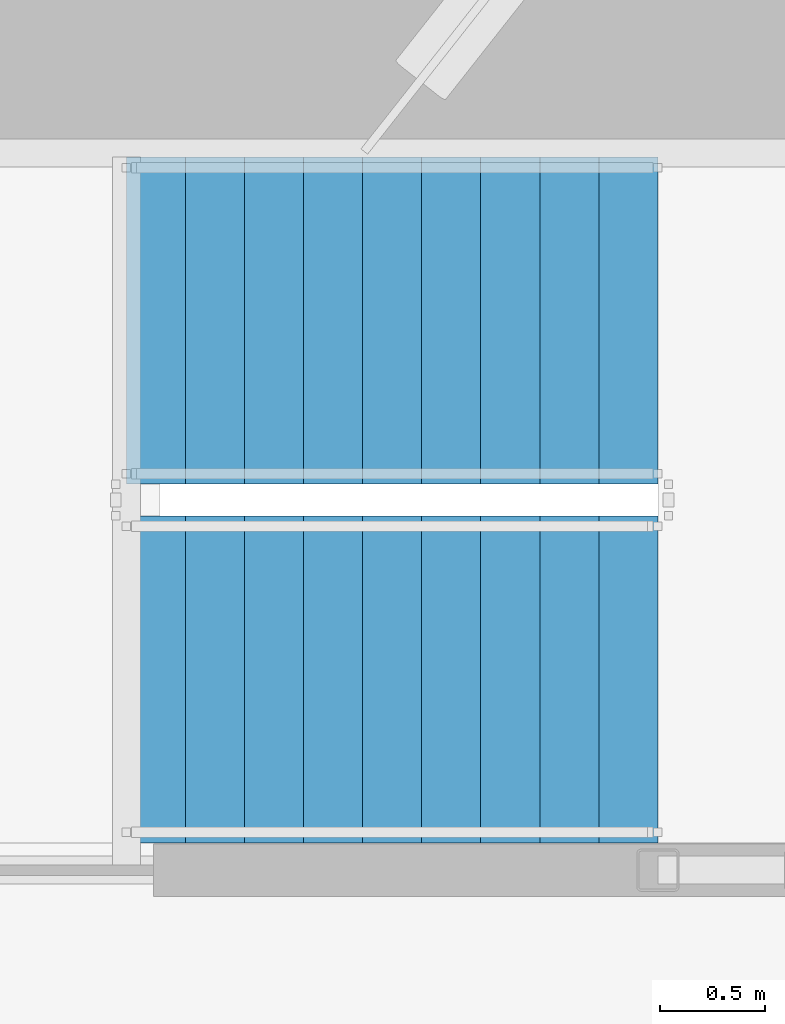
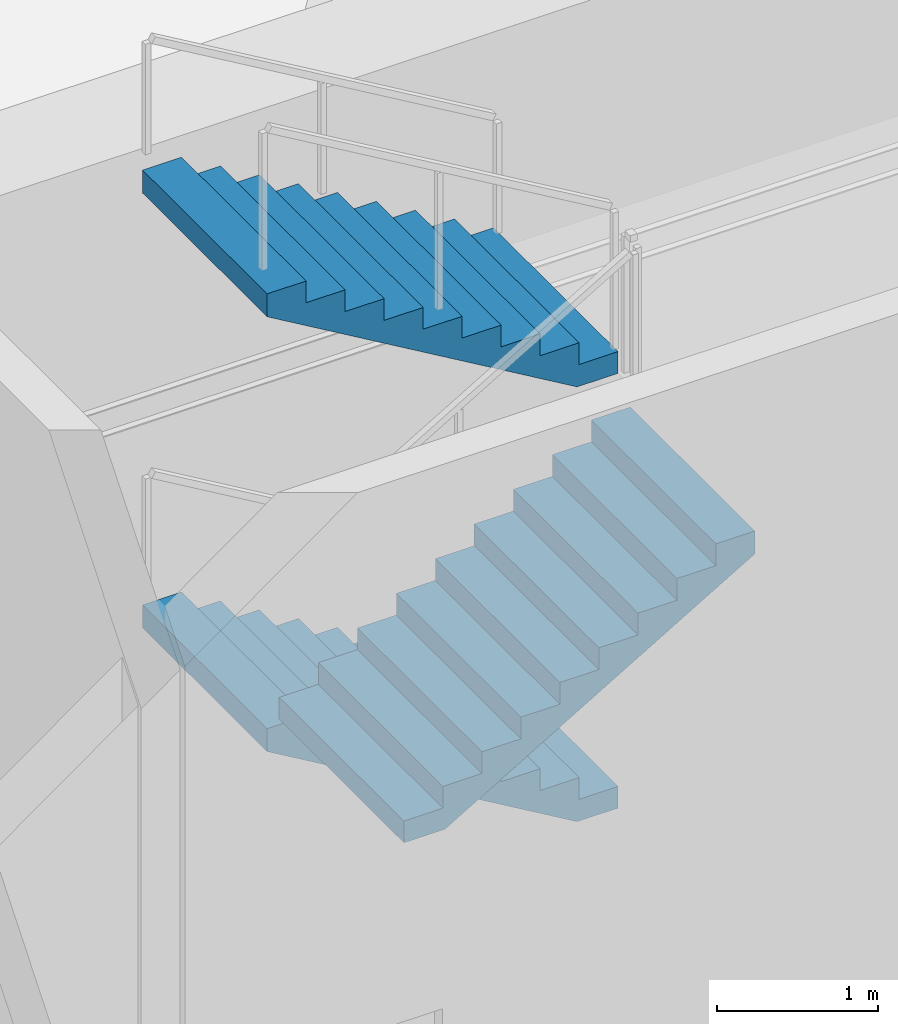
# One storey, part 14 of 19: 3 stair flights, 1 element without a shape of its own.
"""IFC4 building model written with IfcOpenShell, lengths in metres."""

from ifc_helpers import new_model, si_unit, direction, frame, origin, place, context, subcontext, project, spatial, polyline, outline, extrude, material, type_object, element, aggregate, save


model = new_model("IFC4")

# Units and contexts
model_context = context("Model", 3, precision=1e-05, world=origin(), true_north=direction((0.0, 1.0)))
body_context = subcontext(model_context, "Body", "Model", "MODEL_VIEW")
ifc_project = project(units=[si_unit("LENGTHUNIT", "METRE"), si_unit("AREAUNIT", "SQUARE_METRE"), si_unit("VOLUMEUNIT", "CUBIC_METRE"), si_unit("PLANEANGLEUNIT", "RADIAN"), si_unit("MASSUNIT", "GRAM", prefix="KILO")], contexts=[model_context])

# Site, building, storey
site_placement = place(None, origin())
site = spatial("IfcSite", under=ifc_project, at=site_placement, CompositionType="ELEMENT")
building_placement = place(site_placement, origin())
building = spatial("IfcBuilding", under=site, at=building_placement, Name="Kazma Halo Residences", CompositionType="ELEMENT")
storey_placement = place(building_placement, frame((0.0, 0.0, 116.39990234375)))
storey = spatial("IfcBuildingStorey", under=building, at=storey_placement, Name="L29", CompositionType="ELEMENT", Elevation=116.39990234375)

# Stair, stair flights
ifc_material = material(Name="Concrete C50/60", Category="concrete")
stair_type = type_object("IfcStairType", Name="STR-CRWN", PredefinedType="HALF_TURN_STAIR", material=ifc_material)
stair_placement = place(storey_placement, origin())
stair = element("IfcStair", 1, at=stair_placement, inside=storey, type_object=stair_type, Name="L29 Core exit stair ST-02", PredefinedType="HALF_TURN_STAIR")
stair_flight_type = type_object("IfcStairFlightType", Name="STR-CRWN-FLT", PredefinedType="STRAIGHT", material=ifc_material)
stair_flight_1_placement = place(storey_placement, frame((55.719970703125, 49.22509765625, 1.650146484375), z_axis=(0.0, 0.0, 1.0), x_axis=(-1.0, 0.0, 0.0)))
stair_flight_1 = element("IfcStairFlight", 2, at=stair_flight_1_placement, type_object=stair_flight_type, Name="ST-02 flight 2", NumberOfRisers=10, NumberOfTreads=9, PredefinedType="STRAIGHT", RiserHeight=0.165, TreadLength=0.28, context=body_context, shape_type="SweptSolid", body=[
    extrude(outline(polyline([(0.0, 0.0), (0.0, 0.1650390625), (0.280029296875, 0.1650390625), (0.280029296875, 0.330078125), (0.56005859375, 0.330078125), (0.56005859375, 0.4951171875), (0.840087890625, 0.4951171875), (0.840087890625, 0.659912109375), (1.1201171875, 0.659912109375), (1.1201171875, 0.824951171875), (1.39990234375, 0.824951171875), (1.39990234375, 0.989990234375), (1.679931640625, 0.989990234375), (1.679931640625, 1.155029296875), (1.9599609375, 1.155029296875), (1.9599609375, 1.320068359375), (2.239990234375, 1.320068359375), (2.239990234375, 1.485107421875), (2.52001953125, 1.485107421875), (2.52001953125, 1.64990234375), (2.52001953125, 1.31103515625), (0.295166015625, 0.0), (0.0, 0.0)])), frame((0.0, 0.77490234375, 0.0), z_axis=(0.0, -1.0, 0.0), x_axis=(1.0, 0.0, 0.0)), (0.0, 0.0, 1.0), 1.550048828125),
])
stair_flight_2_placement = place(storey_placement, frame((53.199951171875, 47.52490234375, 3.300048828125), z_axis=(0.0, 0.0, 1.0), x_axis=(1.0, 0.0, 0.0)))
stair_flight_2 = element("IfcStairFlight", 3, at=stair_flight_2_placement, type_object=stair_flight_type, Name="ST-02 flight 3", NumberOfRisers=10, NumberOfTreads=9, PredefinedType="STRAIGHT", RiserHeight=0.165, TreadLength=0.28, context=body_context, shape_type="SweptSolid", body=[
    extrude(outline(polyline([(0.0, 0.0), (0.0, 0.1650390625), (0.280029296875, 0.1650390625), (0.280029296875, 0.330078125), (0.56005859375, 0.330078125), (0.56005859375, 0.4951171875), (0.840087890625, 0.4951171875), (0.840087890625, 0.659912109375), (1.1201171875, 0.659912109375), (1.1201171875, 0.824951171875), (1.39990234375, 0.824951171875), (1.39990234375, 0.989990234375), (1.679931640625, 0.989990234375), (1.679931640625, 1.155029296875), (1.9599609375, 1.155029296875), (1.9599609375, 1.320068359375), (2.239990234375, 1.320068359375), (2.239990234375, 1.485107421875), (2.52001953125, 1.485107421875), (2.52001953125, 1.64990234375), (2.52001953125, 1.31103515625), (0.295166015625, 0.0), (0.0, 0.0)])), frame((0.0, 0.77490234375, 0.0), z_axis=(0.0, -1.0, 0.0), x_axis=(1.0, 0.0, 0.0)), (0.0, 0.0, 1.0), 1.550048828125),
])
stair_flight_3_placement = place(storey_placement, frame((55.719970703125, 49.22509765625, 4.9501953125), z_axis=(0.0, 0.0, 1.0), x_axis=(-1.0, 0.0, 0.0)))
stair_flight_3 = element("IfcStairFlight", 4, at=stair_flight_3_placement, type_object=stair_flight_type, Name="ST-02 flight 4", NumberOfRisers=10, NumberOfTreads=9, PredefinedType="STRAIGHT", RiserHeight=0.165, TreadLength=0.28, context=body_context, shape_type="SweptSolid", body=[
    extrude(outline(polyline([(0.0, 0.0), (0.0, 0.1650390625), (0.280029296875, 0.1650390625), (0.280029296875, 0.330078125), (0.56005859375, 0.330078125), (0.56005859375, 0.4951171875), (0.840087890625, 0.4951171875), (0.840087890625, 0.659912109375), (1.1201171875, 0.659912109375), (1.1201171875, 0.824951171875), (1.39990234375, 0.824951171875), (1.39990234375, 0.989990234375), (1.679931640625, 0.989990234375), (1.679931640625, 1.155029296875), (1.9599609375, 1.155029296875), (1.9599609375, 1.320068359375), (2.239990234375, 1.320068359375), (2.239990234375, 1.485107421875), (2.52001953125, 1.485107421875), (2.52001953125, 1.64990234375), (2.52001953125, 1.31103515625), (0.295166015625, 0.0), (0.0, 0.0)])), frame((0.0, 0.77490234375, 0.0), z_axis=(0.0, -1.0, 0.0), x_axis=(1.0, 0.0, 0.0)), (0.0, 0.0, 1.0), 1.550048828125),
])
aggregate(stair, [stair_flight_1, stair_flight_2, stair_flight_3])

save(model, "model.ifc")
